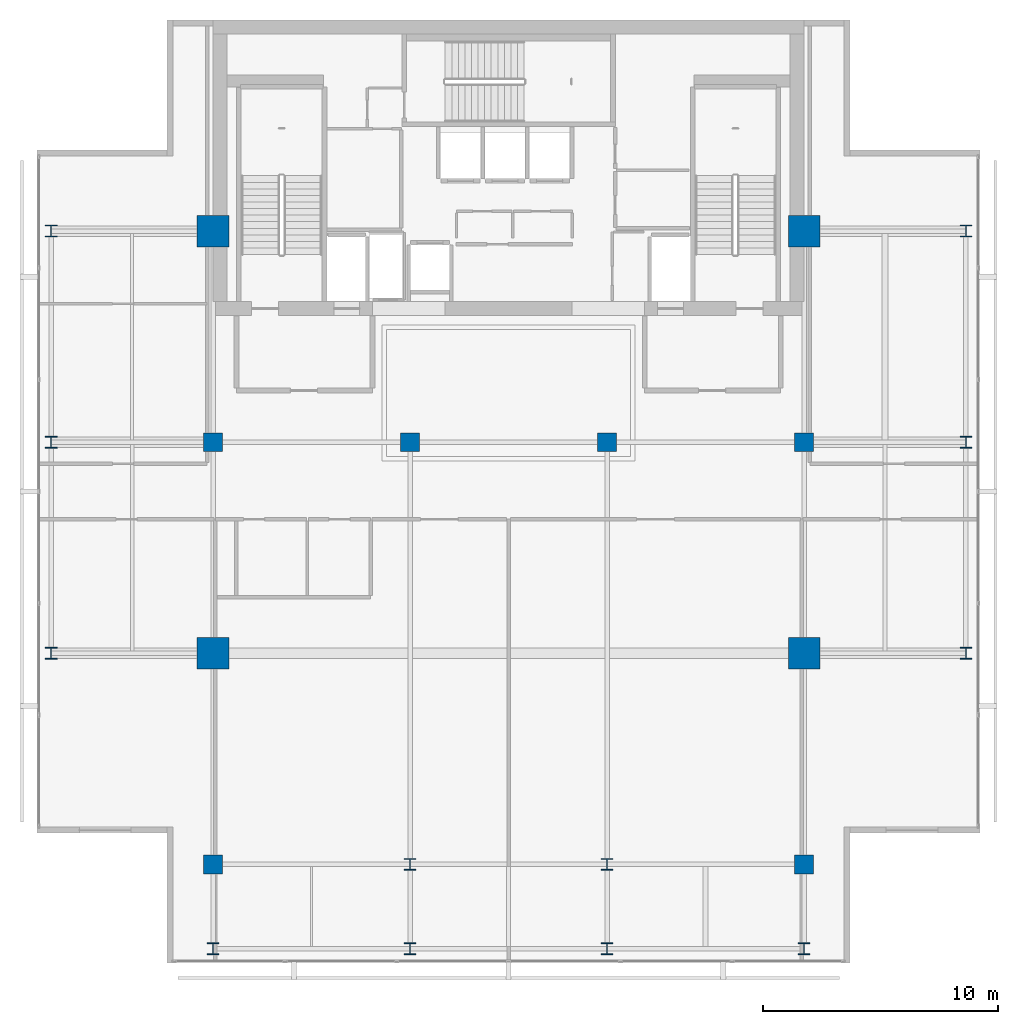
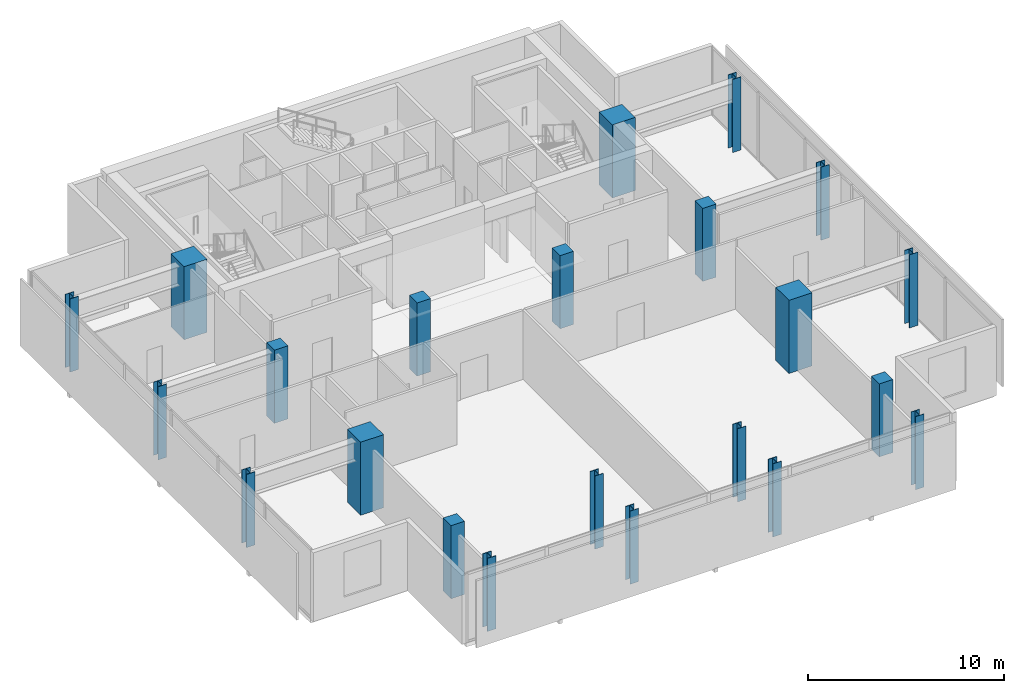
# One storey, part 1 of 23: 22 columns.
"""IFC4 building model written with IfcOpenShell, lengths in metres."""

import ifcopenshell
import ifcopenshell.guid

model = None  # the IFC model being written
_history = None  # IfcOwnerHistory: only IFC2X3 demands one
_inside = {}  # id of a spatial element -> (the spatial element, [elements in it])
_under = {}  # id of a project, library or spatial element -> (it, [spatial elements below it])
_declared = {}  # id of a project -> (the project, [libraries it declares])
_typed = {}  # id of a type object -> (the type object, [elements of that type])
_made_of = {}  # id of a material, layer set ... -> (it, [elements and type objects made of it])


def new_model(schema):
    """Start an empty IFC model of exactly this schema.

    Asked for "IFC4X3", IfcOpenShell would pick the latest addendum, in which some entities
    have other attributes; the version numbers below select the first issue.
    IFC2X3 requires an IfcOwnerHistory on every rooted entity: one is made here for all.
    """
    global model, _history
    if schema == "IFC4X3":
        model = ifcopenshell.file(schema_version=(4, 3, 0, 0))
    else:
        model = ifcopenshell.file(schema=schema)
    _inside.clear()
    _under.clear()
    _declared.clear()
    _typed.clear()
    _made_of.clear()
    _history = None
    if model.schema == "IFC2X3":
        org = make("IfcOrganization", Name="unknown")
        user = make(
            "IfcPersonAndOrganization",
            ThePerson=make("IfcPerson", FamilyName="unknown"),
            TheOrganization=org,
        )
        app = make(
            "IfcApplication",
            ApplicationDeveloper=org,
            Version="unknown",
            ApplicationFullName="unknown",
            ApplicationIdentifier="unknown",
        )
        _history = make(
            "IfcOwnerHistory",
            OwningUser=user,
            OwningApplication=app,
            ChangeAction="ADDED",
            CreationDate=0,
        )
    return model


def make(cls, **values):
    """One entity of the class cls with the attributes given. An attribute that is None is left unset."""
    return model.create_entity(
        cls, **{name: value for name, value in values.items() if value is not None}
    )


def rooted(cls, **values):
    """An entity with a GlobalId (a new one), such as an element, a storey or a relation."""
    return make(cls, GlobalId=ifcopenshell.guid.new(), OwnerHistory=_history, **values)


def si_unit(unit_type, name, prefix=None):
    """IfcSIUnit, for example si_unit("LENGTHUNIT", "METRE", prefix="MILLI")."""
    return make("IfcSIUnit", UnitType=unit_type, Prefix=prefix, Name=name)


def assignment(units):
    """IfcUnitAssignment: the units of a project."""
    return None if units is None else make("IfcUnitAssignment", Units=units)


def point(xyz):
    """IfcCartesianPoint."""
    return None if xyz is None else make("IfcCartesianPoint", Coordinates=xyz)


def direction(xyz):
    """IfcDirection."""
    return None if xyz is None else make("IfcDirection", DirectionRatios=xyz)


def frame(location, z_axis=None, x_axis=None):
    """IfcAxis2Placement3D, a coordinate frame: its origin and axes. An axis left out is left unset."""
    return make(
        "IfcAxis2Placement3D",
        Location=point(location),
        Axis=direction(z_axis),
        RefDirection=direction(x_axis),
    )


def frame_2d(location, x_axis=None):
    """IfcAxis2Placement2D, a coordinate frame in the plane: its origin and x axis."""
    return make(
        "IfcAxis2Placement2D", Location=point(location), RefDirection=direction(x_axis)
    )


def origin():
    """The frame at (0, 0, 0) with its axes left unset."""
    return frame((0.0, 0.0, 0.0))


def origin_2d():
    """The frame at (0, 0) in the plane with its x axis left unset."""
    return frame_2d((0.0, 0.0))


def place(relative_to, where):
    """IfcLocalPlacement: puts the frame where relative to a parent placement (None: the world)."""
    return make(
        "IfcLocalPlacement", PlacementRelTo=relative_to, RelativePlacement=where
    )


def context(
    kind, dimensions, precision=None, world=None, true_north=None, identifier=None
):
    """IfcGeometricRepresentationContext, for example the 3D "Model" context."""
    return make(
        "IfcGeometricRepresentationContext",
        ContextIdentifier=identifier,
        ContextType=kind,
        CoordinateSpaceDimension=dimensions,
        Precision=precision,
        WorldCoordinateSystem=world,
        TrueNorth=true_north,
    )


def subcontext(parent, identifier, kind, view, scale=None):
    """IfcGeometricRepresentationSubContext, for example "Body" below "Model"."""
    return make(
        "IfcGeometricRepresentationSubContext",
        ContextIdentifier=identifier,
        ContextType=kind,
        ParentContext=parent,
        TargetScale=scale,
        TargetView=view,
    )


def project(units=None, contexts=None):
    """IfcProject with its units and contexts."""
    return rooted(
        "IfcProject",
        Name="project",
        RepresentationContexts=contexts,
        UnitsInContext=assignment(units),
    )


def spatial(cls, under=None, at=None, **own):
    """A site, building, storey or space (cls), placed at a placement, below another one or the project."""
    s = rooted(cls, ObjectPlacement=at, **own)
    if under is not None:
        _under.setdefault(under.id(), (under, []))[1].append(s)
    return s


def profile(cls, at=None, kind="AREA", **sizes):
    """A parametric profile (cls). Its sizes go by their IFC names, for example OverallWidth=200.0."""
    return make(cls, ProfileType=kind, Position=at, **sizes)


def rectangle(**sizes):
    """IfcRectangleProfileDef."""
    return profile("IfcRectangleProfileDef", **sizes)


def i_section(**sizes):
    """IfcIShapeProfileDef."""
    return profile("IfcIShapeProfileDef", **sizes)


def extrude(swept, where, along, depth):
    """IfcExtrudedAreaSolid: the profile swept, set in the frame where, extruded along a direction by depth."""
    return make(
        "IfcExtrudedAreaSolid",
        SweptArea=swept,
        Position=where,
        ExtrudedDirection=direction(along),
        Depth=depth,
    )


def shape(context_of_items, identifier, shape_type, items):
    """IfcShapeRepresentation: the items that make up one representation, for example the "Body"."""
    return make(
        "IfcShapeRepresentation",
        ContextOfItems=context_of_items,
        RepresentationIdentifier=identifier,
        RepresentationType=shape_type,
        Items=items,
    )


def material(Name=None, Category=None):
    """IfcMaterial."""
    return make("IfcMaterial", Name=Name, Category=Category)


def material_profile(
    of_material, cross_section, Name=None, Category=None, Priority=None
):
    """IfcMaterialProfile: a cross section and its material."""
    return make(
        "IfcMaterialProfile",
        Name=Name,
        Material=of_material,
        Profile=cross_section,
        Priority=Priority,
        Category=Category,
    )


def profile_set(profiles, Name=None, composite=None):
    """IfcMaterialProfileSet."""
    return make(
        "IfcMaterialProfileSet",
        Name=Name,
        MaterialProfiles=profiles,
        CompositeProfile=composite,
    )


def made_of(thing, what):
    """Note that an element or type object is made of a material, layer set ...; save() writes the relation."""
    if what is not None:
        _made_of.setdefault(what.id(), (what, []))[1].append(thing)
    return thing


def type_object(cls, material=None, **own):
    """A type object (cls), such as IfcWallType, which elements share."""
    return made_of(rooted(cls, **own), material)


def element(
    cls,
    number,
    at=None,
    inside=None,
    cuts=None,
    type_object=None,
    material=None,
    context=None,
    identifier="Body",
    shape_type=None,
    held_by="IfcProductDefinitionShape",
    body=None,
    shapes=None,
    **own,
):
    """One element of the class cls, such as IfcWall. Its Tag is "e" and its number.

    at: its placement. inside: the storey or other place that contains it. cuts: it is an
    opening in that element (IfcRelVoidsElement). A single representation is given by context,
    identifier, shape_type and body (its items); several are given by shapes. held_by: the class
    of the entity that holds the representations. save() writes the other relations.
    """
    e = rooted(cls, Tag="e%d" % number, ObjectPlacement=at, **own)
    if body is not None:
        shapes = [shape(context, identifier, shape_type, body)]
    if shapes is not None:
        e.Representation = make(held_by, Representations=shapes)
    if inside is not None:
        _inside.setdefault(inside.id(), (inside, []))[1].append(e)
    if cuts is not None:
        rooted(
            "IfcRelVoidsElement", RelatingBuildingElement=cuts, RelatedOpeningElement=e
        )
    if type_object is not None:
        _typed.setdefault(type_object.id(), (type_object, []))[1].append(e)
    return made_of(e, material)


def aggregate(whole, parts):
    """IfcRelAggregates: a whole, such as a stair, and the parts it consists of."""
    return rooted("IfcRelAggregates", RelatingObject=whole, RelatedObjects=parts)


def save(model, path):
    """Write the relations noted so far, then the file.

    IfcRelAggregates (storeys below a building ...), IfcRelContainedInSpatialStructure (elements
    in a storey), IfcRelDefinesByType, IfcRelAssociatesMaterial and IfcRelDeclares: one each for
    every whole, place, type object, material and project.
    """
    for whole, parts in _under.values():
        aggregate(whole, parts)
    for where, things in _inside.values():
        rooted(
            "IfcRelContainedInSpatialStructure",
            RelatedElements=things,
            RelatingStructure=where,
        )
    for kind, things in _typed.values():
        rooted("IfcRelDefinesByType", RelatedObjects=things, RelatingType=kind)
    for what, things in _made_of.values():
        rooted("IfcRelAssociatesMaterial", RelatedObjects=things, RelatingMaterial=what)
    for by, libraries in _declared.values():
        rooted("IfcRelDeclares", RelatingContext=by, RelatedDefinitions=libraries)
    model.write(path)


model = new_model("IFC4")

# Units and contexts
model_context = context("Model", 3, precision=1e-05, world=origin(), true_north=direction((0.0, 1.0)))
body_context = subcontext(model_context, "Body", "Model", "MODEL_VIEW")
ifc_project = project(units=[si_unit("LENGTHUNIT", "METRE"), si_unit("AREAUNIT", "SQUARE_METRE"), si_unit("VOLUMEUNIT", "CUBIC_METRE"), si_unit("PLANEANGLEUNIT", "RADIAN"), si_unit("MASSUNIT", "GRAM", prefix="KILO")], contexts=[model_context])

# Site, building, storey
site_placement = place(None, origin())
site = spatial("IfcSite", under=ifc_project, at=site_placement, CompositionType="ELEMENT")
building_placement = place(site_placement, origin())
building = spatial("IfcBuilding", under=site, at=building_placement, Name="Maruvema Waterfront Hotel and Observation Tower", CompositionType="ELEMENT")
storey_placement = place(building_placement, frame((0.0, 0.0, 349.64990234375)))
storey = spatial("IfcBuildingStorey", under=building, at=storey_placement, Name="L86", CompositionType="ELEMENT", Elevation=349.64990234375)

# Columns
ifc_material_1 = material(Name="Concrete C70/85", Category="concrete")
ifc_material_profile_1 = material_profile(ifc_material_1, rectangle(XDim=1.35009765625, YDim=1.35009765625, at=origin_2d()), Name="MC1350x1350")
ifc_profile_set_1 = profile_set([ifc_material_profile_1], Name="Concrete C70/85")
column_type_1 = type_object("IfcColumnType", Name="Continuous Mega-Column MC1350x1350", PredefinedType="COLUMN", material=ifc_profile_set_1)
for number, where, z_axis, x_axis, name in (
    (1, (25.199951171875, 27.0, 0.0), (0.0, 0.0, 1.0), (1.0, 0.0, 0.0), "L86 Continuous Mega-Column MC-01"),
    (2, (50.39990234375, 27.0, 0.0), (0.0, 0.0, 1.0), (1.0, 0.0, 0.0), "L86 Continuous Mega-Column MC-02"),
    (3, (25.199951171875, 45.0, 0.0), (0.0, 0.0, 1.0), (1.0, 0.0, 0.0), "L86 Continuous Mega-Column MC-03"),
    (4, (50.39990234375, 45.0, 0.0), (0.0, 0.0, 1.0), (1.0, 0.0, 0.0), "L86 Continuous Mega-Column MC-04"),
):
    element("IfcColumn", number, at=place(storey_placement, frame(where, z_axis=z_axis, x_axis=x_axis)), inside=storey, type_object=column_type_1, Name=name, PredefinedType="COLUMN", context=body_context, shape_type="SweptSolid", body=[
        extrude(rectangle(XDim=1.35009765625, YDim=1.35009765625, at=origin_2d()), origin(), (0.0, 0.0, 1.0), 4.550048828125),
    ])
ifc_material_2 = material(Name="Concrete C60/75", Category="concrete")
ifc_material_profile_2 = material_profile(ifc_material_2, rectangle(XDim=0.800048828125, YDim=0.800048828125, at=origin_2d()), Name="RC800x800")
ifc_profile_set_2 = profile_set([ifc_material_profile_2], Name="Concrete C60/75")
column_type_2 = type_object("IfcColumnType", Name="Reinforced Concrete Column RC800x800", PredefinedType="COLUMN", material=ifc_profile_set_2)
for number, where, z_axis, x_axis, name in (
    (5, (25.199951171875, 36.0, 0.0), (0.0, 0.0, 1.0), (1.0, 0.0, 0.0), "L86 Column C-4E"),
    (6, (33.60009765625, 36.0, 0.0), (0.0, 0.0, 1.0), (1.0, 0.0, 0.0), "L86 Column C-5E"),
    (7, (42.0, 36.0, 0.0), (0.0, 0.0, 1.0), (1.0, 0.0, 0.0), "L86 Column C-6E"),
    (8, (50.39990234375, 36.0, 0.0), (0.0, 0.0, 1.0), (1.0, 0.0, 0.0), "L86 Column C-7E"),
    (9, (25.199951171875, 18.0, 0.0), (0.0, 0.0, 1.0), (1.0, 0.0, 0.0), "L86 Column C-4C"),
    (10, (50.39990234375, 18.0, 0.0), (0.0, 0.0, 1.0), (1.0, 0.0, 0.0), "L86 Column C-7C"),
):
    element("IfcColumn", number, at=place(storey_placement, frame(where, z_axis=z_axis, x_axis=x_axis)), inside=storey, type_object=column_type_2, Name=name, PredefinedType="COLUMN", context=body_context, shape_type="SweptSolid", body=[
        extrude(rectangle(XDim=0.800048828125, YDim=0.800048828125, at=origin_2d()), origin(), (0.0, 0.0, 1.0), 4.550048828125),
    ])
ifc_material_3 = material(Name="Steel ABNT NBR 7007 AR 415 (ASTM A572 Grade 50)", Category="steel")
ifc_material_profile_3 = material_profile(ifc_material_3, i_section(OverallWidth=0.5, OverallDepth=0.5, WebThickness=0.02197265625, FlangeThickness=0.031982421875, at=origin_2d()), Name="CVS500x223")
ifc_profile_set_3 = profile_set([ifc_material_profile_3], Name="Steel ABNT NBR 7007 AR 415 (ASTM A572 Grade 50)")
column_type_3 = type_object("IfcColumnType", Name="Structural Steel Column CVS500x223", PredefinedType="COLUMN", material=ifc_profile_set_3)
for number, where, z_axis, x_axis, name in (
    (11, (33.60009765625, 18.0, 0.0), (0.0, 0.0, 1.0), (1.0, 0.0, 0.0), "L86 Column C-5C"),
    (12, (42.0, 18.0, 0.0), (0.0, 0.0, 1.0), (1.0, 0.0, 0.0), "L86 Column C-6C"),
    (13, (18.300048828125, 27.0, 0.0), (0.0, 0.0, 1.0), (1.0, 0.0, 0.0), "L86 Column C-Z4W27"),
    (14, (57.300048828125, 27.0, 0.0), (0.0, 0.0, 1.0), (1.0, 0.0, 0.0), "L86 Column C-Z4E27"),
    (15, (18.300048828125, 36.0, 0.0), (0.0, 0.0, 1.0), (1.0, 0.0, 0.0), "L86 Column C-Z4W36"),
    (16, (57.300048828125, 36.0, 0.0), (0.0, 0.0, 1.0), (1.0, 0.0, 0.0), "L86 Column C-Z4E36"),
    (17, (18.300048828125, 45.0, 0.0), (0.0, 0.0, 1.0), (1.0, 0.0, 0.0), "L86 Column C-Z4W45"),
    (18, (57.300048828125, 45.0, 0.0), (0.0, 0.0, 1.0), (1.0, 0.0, 0.0), "L86 Column C-Z4E45"),
    (19, (25.199951171875, 14.39990234375, 0.0), (0.0, 0.0, 1.0), (1.0, 0.0, 0.0), "L86 Column C-Z4S4"),
    (20, (33.60009765625, 14.39990234375, 0.0), (0.0, 0.0, 1.0), (1.0, 0.0, 0.0), "L86 Column C-Z4S5"),
    (21, (42.0, 14.39990234375, 0.0), (0.0, 0.0, 1.0), (1.0, 0.0, 0.0), "L86 Column C-Z4S6"),
    (22, (50.39990234375, 14.39990234375, 0.0), (0.0, 0.0, 1.0), (1.0, 0.0, 0.0), "L86 Column C-Z4S7"),
):
    element("IfcColumn", number, at=place(storey_placement, frame(where, z_axis=z_axis, x_axis=x_axis)), inside=storey, type_object=column_type_3, Name=name, PredefinedType="COLUMN", context=body_context, shape_type="SweptSolid", body=[
        extrude(i_section(OverallWidth=0.5, OverallDepth=0.5, WebThickness=0.02197265625, FlangeThickness=0.031982421875, at=origin_2d()), origin(), (0.0, 0.0, 1.0), 4.550048828125),
    ])

save(model, "model.ifc")
